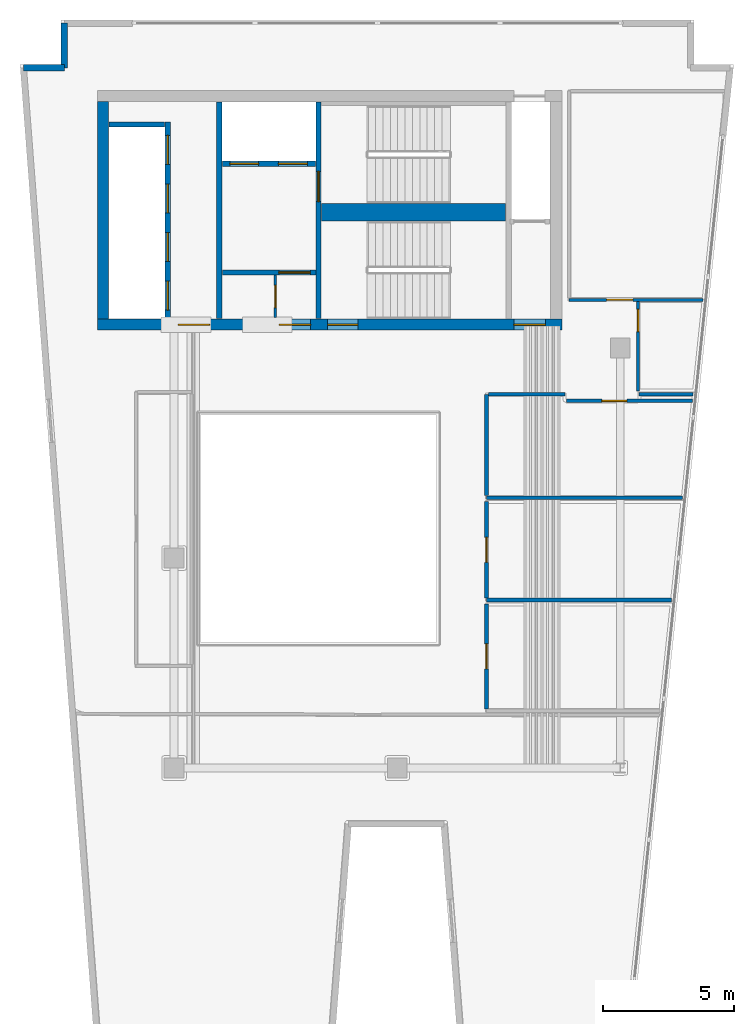
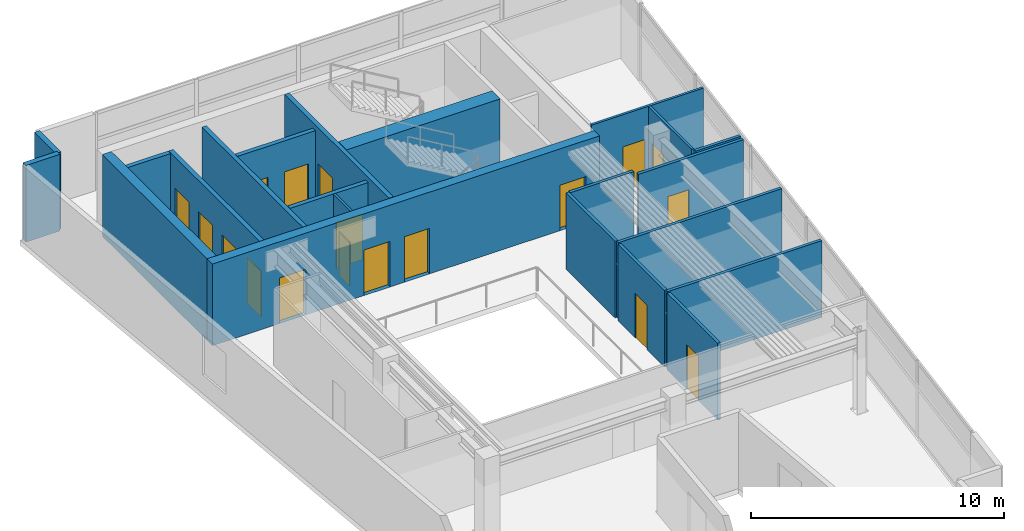
# One storey, part 3 of 6: 22 walls, 18 doors, 18 openings.
"""IFC4 building model written with IfcOpenShell, lengths in metres."""

from ifc_helpers import new_model, si_unit, direction, frame, frame_2d, origin, place, context, subcontext, project, spatial, rectangle, extrude, material, layer, layer_set, type_object, element, fill, save


model = new_model("IFC4")

# Units and contexts
model_context = context("Model", 3, precision=1e-05, world=origin(), true_north=direction((0.0, 1.0)))
body_context = subcontext(model_context, "Body", "Model", "MODEL_VIEW")
ifc_project = project(units=[si_unit("LENGTHUNIT", "METRE"), si_unit("AREAUNIT", "SQUARE_METRE"), si_unit("VOLUMEUNIT", "CUBIC_METRE"), si_unit("PLANEANGLEUNIT", "RADIAN"), si_unit("MASSUNIT", "GRAM", prefix="KILO")], contexts=[model_context])

# Site, building, storey
site_placement = place(None, origin())
site = spatial("IfcSite", under=ifc_project, at=site_placement, CompositionType="ELEMENT")
building_placement = place(site_placement, origin())
building = spatial("IfcBuilding", under=site, at=building_placement, Name="Caeloran Harvest Quay", CompositionType="ELEMENT")
storey_placement = place(building_placement, frame((0.0, 0.0, 288.300048828125)))
storey = spatial("IfcBuildingStorey", under=building, at=storey_placement, Name="L69", CompositionType="ELEMENT", Elevation=288.300048828125)

# Walls
ifc_material_1 = material(Name="Precast concrete C50/60", Category="concrete")
ifc_layer_1 = layer(ifc_material_1, 0.239990234375, Name="Precast concrete C50/60")
ifc_layer_set_1 = layer_set([ifc_layer_1], Name="Precast concrete C50/60")
wall_type_1 = type_object("IfcWallType", Name="ENV-WALL-EW-240", PredefinedType="STANDARD", material=ifc_layer_set_1)
wall_1_placement = place(storey_placement, frame((2.7587890625, 41.679931640625, 0.0), z_axis=(0.0, 0.0, 1.0), x_axis=(1.0, 0.0, 0.0)))
element("IfcWall", 1, at=wall_1_placement, inside=storey, type_object=wall_type_1, Name="L69 Exterior Precast Concrete Facade Wall 4", PredefinedType="STANDARD", context=body_context, shape_type="SweptSolid", body=[
    extrude(rectangle(XDim=1.561279296875, YDim=0.239990234375, at=frame_2d((0.78076171875, 0.0))), origin(), (0.0, 0.0, 1.0), 3.699951171875),
])
wall_2_placement = place(storey_placement, frame((4.320068359375, 41.679931640625, 0.0), z_axis=(0.0, 0.0, 1.0), x_axis=(0.0, 1.0, 0.0)))
element("IfcWall", 2, at=wall_2_placement, inside=storey, type_object=wall_type_1, Name="L69 Exterior Precast Concrete Facade Wall 5", PredefinedType="STANDARD", context=body_context, shape_type="SweptSolid", body=[
    extrude(rectangle(XDim=1.699951171875, YDim=0.239990234375, at=frame_2d((0.85009765625, 0.0))), origin(), (0.0, 0.0, 1.0), 3.699951171875),
])

# Wall, opening, door
ifc_material_2 = material(Name="Fire-Resisting Gypsum Core Riser Partition", Category="gypsum")
ifc_layer_2 = layer(ifc_material_2, 0.10009765625, Name="Fire-Resisting Gypsum Core Riser Partition")
ifc_layer_set_2 = layer_set([ifc_layer_2], Name="Fire-Resisting Gypsum Core Riser Partition")
wall_type_2 = type_object("IfcWallType", Name="INT-WALL-PW-100", PredefinedType="PARTITIONING", material=ifc_layer_set_2)
wall_3_placement = place(storey_placement, frame((12.360107421875, 32.159912109375, 0.0), z_axis=(0.0, 0.0, 1.0), x_axis=(0.0, 1.0, 0.0)))
wall_3 = element("IfcWall", 3, at=wall_3_placement, inside=storey, type_object=wall_type_2, Name="L69 Core Store Partition Wall", PredefinedType="PARTITIONING", context=body_context, shape_type="SweptSolid", body=[
    extrude(rectangle(XDim=1.6201171875, YDim=0.10009765625, at=frame_2d((0.81005859375, 0.0))), origin(), (0.0, 0.0, 1.0), 3.699951171875),
])
opening_1_placement = place(wall_3_placement, frame((0.3798828125, 0.0, 0.0)))
opening_1 = element("IfcOpeningElement", 4, at=opening_1_placement, cuts=wall_3, Name="Opening SV-01", PredefinedType="OPENING", context=body_context, shape_type="SweptSolid", body=[
    extrude(rectangle(XDim=0.85009765625, YDim=2.10009765625, at=frame_2d((0.425048828125, 1.050048828125))), frame((0.0, 0.06005859375, 0.0), z_axis=(0.0, -1.0, 0.0), x_axis=(1.0, 0.0, 0.0)), (0.0, 0.0, 1.0), 0.1201171875),
])
ifc_material_3 = material(Name="Galvanized Painted Steel", Category="steel")
door_type_1 = type_object("IfcDoorType", Name="INTDOOR-SV-01", OperationType="NOTDEFINED", PredefinedType="DOOR", material=ifc_material_3)
door_1_placement = place(opening_1_placement, origin())
door_1 = element("IfcDoor", 5, at=door_1_placement, inside=storey, type_object=door_type_1, Name="L69 Core Service Room Access Door", OperationType="SINGLE_SWING_RIGHT", OverallHeight=2.10009765625, OverallWidth=0.85009765625, PredefinedType="DOOR", context=body_context, shape_type="SweptSolid", body=[
    extrude(rectangle(XDim=0.85009765625, YDim=2.10009765625, at=frame_2d((0.425048828125, 1.050048828125))), frame((0.0, 0.02490234375, 0.0), z_axis=(0.0, -1.0, 0.0), x_axis=(1.0, 0.0, 0.0)), (0.0, 0.0, 1.0), 0.050048828125),
])
fill(opening_1, door_1)

ifc_material_4 = material(Name="Single-Stud Acoustic Gypsum Office Partition", Category="gypsum")
ifc_layer_3 = layer(ifc_material_4, 0.112060546875, Name="Single-Stud Acoustic Gypsum Office Partition")
ifc_layer_set_3 = layer_set([ifc_layer_3], Name="Single-Stud Acoustic Gypsum Office Partition")
wall_type_3 = type_object("IfcWallType", Name="INT-WALL-PW-112", PredefinedType="PARTITIONING", material=ifc_layer_set_3)
wall_4_placement = place(storey_placement, frame((28.654052734375, 32.840087890625, 0.0), z_axis=(0.0, 0.0, 1.0), x_axis=(-1.0, 0.0, 0.0)))
wall_4 = element("IfcWall", 6, at=wall_4_placement, inside=storey, type_object=wall_type_3, Name="L69 Bioinformatics and Crop Phenotyping Laboratory Partition Wall", PredefinedType="PARTITIONING", context=body_context, shape_type="SweptSolid", body=[
    extrude(rectangle(XDim=5.114013671875, YDim=0.112060546875, at=frame_2d((2.55712890625, 0.0))), origin(), (0.0, 0.0, 1.0), 3.699951171875),
])
opening_2_placement = place(wall_4_placement, frame((2.6767578125, 0.0, 0.0)))
opening_2 = element("IfcOpeningElement", 7, at=opening_2_placement, cuts=wall_4, Name="Opening ID-01", PredefinedType="OPENING", context=body_context, shape_type="SweptSolid", body=[
    extrude(rectangle(XDim=1.0, YDim=2.14990234375, at=frame_2d((0.5, 1.074951171875))), frame((0.0, 0.06591796875, 0.0), z_axis=(0.0, -1.0, 0.0), x_axis=(1.0, 0.0, 0.0)), (0.0, 0.0, 1.0), 0.132080078125),
])
ifc_material_5 = material(Name="FSC Solid-Core Ash Timber and Acoustic Seal", Category="wood")
door_type_2 = type_object("IfcDoorType", Name="INTDOOR-ID-01", OperationType="NOTDEFINED", PredefinedType="DOOR", material=ifc_material_5)
door_2_placement = place(opening_2_placement, origin())
door_2 = element("IfcDoor", 8, at=door_2_placement, inside=storey, type_object=door_type_2, Name="L69 Bioinformatics and Crop Phenotyping Laboratory Access Door", OperationType="SINGLE_SWING_RIGHT", OverallHeight=2.14990234375, OverallWidth=1.0, PredefinedType="DOOR", context=body_context, shape_type="SweptSolid", body=[
    extrude(rectangle(XDim=1.0, YDim=2.14990234375, at=frame_2d((0.5, 1.074951171875))), frame((0.0, 0.02490234375, 0.0), z_axis=(0.0, -1.0, 0.0), x_axis=(1.0, 0.0, 0.0)), (0.0, 0.0, 1.0), 0.050048828125),
])
fill(opening_2, door_2)

wall_5_placement = place(storey_placement, frame((26.179931640625, 29.3701171875, 0.0), z_axis=(0.0, 0.0, 1.0), x_axis=(0.0, 1.0, 0.0)))
wall_5 = element("IfcWall", 9, at=wall_5_placement, inside=storey, type_object=wall_type_3, Name="Advisory Council Boardroom Partition Wall", PredefinedType="PARTITIONING", context=body_context, shape_type="SweptSolid", body=[
    extrude(rectangle(XDim=3.408935546875, YDim=0.112060546875, at=frame_2d((1.70458984375, 0.0))), origin(), (0.0, 0.0, 1.0), 3.699951171875),
])
opening_3_placement = place(wall_5_placement, frame((2.25341796875, 0.0, 0.0)))
opening_3 = element("IfcOpeningElement", 10, at=opening_3_placement, cuts=wall_5, Name="Opening SV-01", PredefinedType="OPENING", context=body_context, shape_type="SweptSolid", body=[
    extrude(rectangle(XDim=0.85009765625, YDim=2.10009765625, at=frame_2d((0.425048828125, 1.050048828125))), frame((0.0, 0.06591796875, 0.0), z_axis=(0.0, -1.0, 0.0), x_axis=(1.0, 0.0, 0.0)), (0.0, 0.0, 1.0), 0.132080078125),
])
door_3_placement = place(opening_3_placement, origin())
door_3 = element("IfcDoor", 11, at=door_3_placement, inside=storey, type_object=door_type_1, Name="Advisory Council Boardroom Access Door", OperationType="SINGLE_SWING_LEFT", OverallHeight=2.10009765625, OverallWidth=0.85009765625, PredefinedType="DOOR", context=body_context, shape_type="SweptSolid", body=[
    extrude(rectangle(XDim=0.85009765625, YDim=2.10009765625, at=frame_2d((0.425048828125, 1.050048828125))), frame((0.0, 0.02490234375, 0.0), z_axis=(0.0, -1.0, 0.0), x_axis=(1.0, 0.0, 0.0)), (0.0, 0.0, 1.0), 0.050048828125),
])
fill(opening_3, door_3)

ifc_material_6 = material(Name="Moisture-Resistant Cement-Board Sanitary Partition", Category="gypsum")
ifc_layer_4 = layer(ifc_material_6, 0.139892578125, Name="Moisture-Resistant Cement-Board Sanitary Partition")
ifc_layer_set_4 = layer_set([ifc_layer_4], Name="Moisture-Resistant Cement-Board Sanitary Partition")
wall_type_4 = type_object("IfcWallType", Name="INT-WALL-PW-140", PredefinedType="PARTITIONING", material=ifc_layer_set_4)
wall_6_placement = place(storey_placement, frame((23.449951171875, 28.989990234375, 0.0), z_axis=(0.0, 0.0, 1.0), x_axis=(1.0, 0.0, 0.0)))
wall_6 = element("IfcWall", 12, at=wall_6_placement, inside=storey, type_object=wall_type_4, Name="L69 Male Washroom WC Partition Wall", PredefinedType="PARTITIONING", context=body_context, shape_type="SweptSolid", body=[
    extrude(rectangle(XDim=4.799560546875, YDim=0.139892578125, at=frame_2d((2.39990234375, 0.0))), origin(), (0.0, 0.0, 1.0), 3.699951171875),
])
opening_4_placement = place(wall_6_placement, frame((1.347412109375, 0.0, 0.0)))
opening_4 = element("IfcOpeningElement", 13, at=opening_4_placement, cuts=wall_6, Name="Opening WC-01", PredefinedType="OPENING", context=body_context, shape_type="SweptSolid", body=[
    extrude(rectangle(XDim=0.949951171875, YDim=2.14990234375, at=frame_2d((0.47509765625, 1.074951171875))), frame((0.0, 0.080078125, 0.0), z_axis=(0.0, -1.0, 0.0), x_axis=(1.0, 0.0, 0.0)), (0.0, 0.0, 1.0), 0.159912109375),
])
ifc_material_7 = material(Name="High-Pressure Laminate Moisture-Resistant Timber", Category="wood")
door_type_3 = type_object("IfcDoorType", Name="INTDOOR-WC-01", OperationType="NOTDEFINED", PredefinedType="DOOR", material=ifc_material_7)
door_4_placement = place(opening_4_placement, origin())
door_4 = element("IfcDoor", 14, at=door_4_placement, inside=storey, type_object=door_type_3, Name="L69 Male Washroom WC Access Door", OperationType="SINGLE_SWING_RIGHT", OverallHeight=2.14990234375, OverallWidth=0.949951171875, PredefinedType="DOOR", context=body_context, shape_type="SweptSolid", body=[
    extrude(rectangle(XDim=0.949951171875, YDim=2.14990234375, at=frame_2d((0.47509765625, 1.074951171875))), frame((0.0, 0.02490234375, 0.0), z_axis=(0.0, -1.0, 0.0), x_axis=(1.0, 0.0, 0.0)), (0.0, 0.0, 1.0), 0.050048828125),
])
fill(opening_4, door_4)

# Walls
wall_7_placement = place(storey_placement, frame((26.2099609375, 29.239990234375, 0.0), z_axis=(0.0, 0.0, 1.0), x_axis=(1.0, 0.0, 0.0)))
element("IfcWall", 15, at=wall_7_placement, inside=storey, type_object=wall_type_4, Name="L69 Male Washroom WC Partition Wall", PredefinedType="PARTITIONING", context=body_context, shape_type="SweptSolid", body=[
    extrude(rectangle(XDim=2.06591796875, YDim=0.139892578125, at=frame_2d((1.032958984375, 0.0))), origin(), (0.0, 0.0, 1.0), 3.699951171875),
])
wall_8_placement = place(storey_placement, frame((27.862060546875, 25.300048828125, 0.0), z_axis=(0.0, 0.0, 1.0), x_axis=(-1.0, 0.0, 0.0)))
element("IfcWall", 16, at=wall_8_placement, inside=storey, type_object=wall_type_4, Name="L69 Male Washroom WC Partition Wall", PredefinedType="PARTITIONING", context=body_context, shape_type="SweptSolid", body=[
    extrude(rectangle(XDim=7.462158203125, YDim=0.139892578125, at=frame_2d((3.73095703125, 0.0))), origin(), (0.0, 0.0, 1.0), 3.699951171875),
])
wall_9_placement = place(storey_placement, frame((20.39990234375, 25.375, 0.0), z_axis=(0.0, 0.0, 1.0), x_axis=(0.0, 1.0, 0.0)))
element("IfcWall", 17, at=wall_9_placement, inside=storey, type_object=wall_type_4, Name="L69 Male Washroom WC Partition Wall", PredefinedType="PARTITIONING", context=body_context, shape_type="SweptSolid", body=[
    extrude(rectangle(XDim=3.864990234375, YDim=0.139892578125, at=frame_2d((1.9326171875, 0.0))), origin(), (0.0, 0.0, 1.0), 3.699951171875),
])
wall_10_placement = place(storey_placement, frame((20.47509765625, 29.239990234375, 0.0), z_axis=(0.0, 0.0, 1.0), x_axis=(1.0, 0.0, 0.0)))
element("IfcWall", 18, at=wall_10_placement, inside=storey, type_object=wall_type_4, Name="L69 Male Washroom WC Partition Wall", PredefinedType="PARTITIONING", context=body_context, shape_type="SweptSolid", body=[
    extrude(rectangle(XDim=2.914794921875, YDim=0.139892578125, at=frame_2d((1.45751953125, 0.0))), origin(), (0.0, 0.0, 1.0), 3.699951171875),
])
wall_11_placement = place(storey_placement, frame((27.452392578125, 21.39990234375, 0.0), z_axis=(0.0, 0.0, 1.0), x_axis=(-1.0, 0.0, 0.0)))
element("IfcWall", 19, at=wall_11_placement, inside=storey, type_object=wall_type_4, Name="L69 Female Washroom WC Partition Wall", PredefinedType="PARTITIONING", context=body_context, shape_type="SweptSolid", body=[
    extrude(rectangle(XDim=7.052490234375, YDim=0.139892578125, at=frame_2d((3.5263671875, 0.0))), origin(), (0.0, 0.0, 1.0), 3.699951171875),
])

# Wall, opening, door
wall_12_placement = place(storey_placement, frame((20.39990234375, 21.47509765625, 0.0), z_axis=(0.0, 0.0, 1.0), x_axis=(0.0, 1.0, 0.0)))
wall_12 = element("IfcWall", 20, at=wall_12_placement, inside=storey, type_object=wall_type_4, Name="L69 Female Washroom WC Partition Wall", PredefinedType="PARTITIONING", context=body_context, shape_type="SweptSolid", body=[
    extrude(rectangle(XDim=3.6748046875, YDim=0.139892578125, at=frame_2d((1.83740234375, 0.0))), origin(), (0.0, 0.0, 1.0), 3.699951171875),
])
opening_5_placement = place(wall_12_placement, frame((1.362548828125, 0.0, 0.0)))
opening_5 = element("IfcOpeningElement", 21, at=opening_5_placement, cuts=wall_12, Name="Opening WC-01", PredefinedType="OPENING", context=body_context, shape_type="SweptSolid", body=[
    extrude(rectangle(XDim=0.949951171875, YDim=2.14990234375, at=frame_2d((0.47509765625, 1.074951171875))), frame((0.0, 0.080078125, 0.0), z_axis=(0.0, -1.0, 0.0), x_axis=(1.0, 0.0, 0.0)), (0.0, 0.0, 1.0), 0.159912109375),
])
door_5_placement = place(opening_5_placement, origin())
door_5 = element("IfcDoor", 22, at=door_5_placement, inside=storey, type_object=door_type_3, Name="L69 Female Washroom WC Access Door", OperationType="SINGLE_SWING_LEFT", OverallHeight=2.14990234375, OverallWidth=0.949951171875, PredefinedType="DOOR", context=body_context, shape_type="SweptSolid", body=[
    extrude(rectangle(XDim=0.949951171875, YDim=2.14990234375, at=frame_2d((0.47509765625, 1.074951171875))), frame((0.0, 0.02490234375, 0.0), z_axis=(0.0, -1.0, 0.0), x_axis=(1.0, 0.0, 0.0)), (0.0, 0.0, 1.0), 0.050048828125),
])
fill(opening_5, door_5)

wall_13_placement = place(storey_placement, frame((20.39990234375, 17.2548828125, 0.0), z_axis=(0.0, 0.0, 1.0), x_axis=(0.0, 1.0, 0.0)))
wall_13 = element("IfcWall", 23, at=wall_13_placement, inside=storey, type_object=wall_type_4, Name="L69 Accessible Unisex Washroom WC Partition Wall", PredefinedType="PARTITIONING", context=body_context, shape_type="SweptSolid", body=[
    extrude(rectangle(XDim=3.9951171875, YDim=0.139892578125, at=frame_2d((1.99755859375, 0.0))), origin(), (0.0, 0.0, 1.0), 3.699951171875),
])
opening_6_placement = place(wall_13_placement, frame((1.5224609375, 0.0, 0.0)))
opening_6 = element("IfcOpeningElement", 24, at=opening_6_placement, cuts=wall_13, Name="Opening WC-01", PredefinedType="OPENING", context=body_context, shape_type="SweptSolid", body=[
    extrude(rectangle(XDim=0.949951171875, YDim=2.14990234375, at=frame_2d((0.47509765625, 1.074951171875))), frame((0.0, 0.080078125, 0.0), z_axis=(0.0, -1.0, 0.0), x_axis=(1.0, 0.0, 0.0)), (0.0, 0.0, 1.0), 0.159912109375),
])
door_6_placement = place(opening_6_placement, origin())
door_6 = element("IfcDoor", 25, at=door_6_placement, inside=storey, type_object=door_type_3, Name="L69 Accessible Unisex Washroom WC Access Door", OperationType="SINGLE_SWING_RIGHT", OverallHeight=2.14990234375, OverallWidth=0.949951171875, PredefinedType="DOOR", context=body_context, shape_type="SweptSolid", body=[
    extrude(rectangle(XDim=0.949951171875, YDim=2.14990234375, at=frame_2d((0.47509765625, 1.074951171875))), frame((0.0, 0.02490234375, 0.0), z_axis=(0.0, -1.0, 0.0), x_axis=(1.0, 0.0, 0.0)), (0.0, 0.0, 1.0), 0.050048828125),
])
fill(opening_6, door_6)

# Wall, openings, doors
ifc_material_8 = material(Name="Concrete C50/60", Category="concrete")
ifc_layer_5 = layer(ifc_material_8, 0.199951171875, Name="Concrete C50/60")
ifc_layer_set_5 = layer_set([ifc_layer_5], Name="Concrete C50/60")
wall_type_5 = type_object("IfcWallType", Name="INT-WALL-SW-200", PredefinedType="PARTITIONING", material=ifc_layer_set_5)
wall_14_placement = place(storey_placement, frame((8.260009765625, 32.1201171875, 0.0), z_axis=(0.0, 0.0, 1.0), x_axis=(0.0, 1.0, 0.0)))
wall_14 = element("IfcWall", 26, at=wall_14_placement, inside=storey, type_object=wall_type_5, Name="L69 Bank 3 Lift Shaft Wall", PredefinedType="PARTITIONING", context=body_context, shape_type="SweptSolid", body=[
    extrude(rectangle(XDim=7.5, YDim=0.199951171875, at=frame_2d((3.75, 0.0))), origin(), (0.0, 0.0, 1.0), 3.699951171875),
])
opening_7_placement = place(wall_14_placement, frame((0.330078125, 0.0, 0.0)))
opening_7 = element("IfcOpeningElement", 27, at=opening_7_placement, cuts=wall_14, Name="Opening LD-01", PredefinedType="OPENING", context=body_context, shape_type="SweptSolid", body=[
    extrude(rectangle(XDim=1.10009765625, YDim=2.199951171875, at=frame_2d((0.550048828125, 1.10009765625))), frame((0.0, 0.10986328125, 0.0), z_axis=(0.0, -1.0, 0.0), x_axis=(1.0, 0.0, 0.0)), (0.0, 0.0, 1.0), 0.219970703125),
])
opening_8_placement = place(wall_14_placement, frame((2.179931640625, 0.0, 0.0)))
opening_8 = element("IfcOpeningElement", 28, at=opening_8_placement, cuts=wall_14, Name="Opening LD-01", PredefinedType="OPENING", context=body_context, shape_type="SweptSolid", body=[
    extrude(rectangle(XDim=1.10009765625, YDim=2.199951171875, at=frame_2d((0.550048828125, 1.10009765625))), frame((0.0, 0.10986328125, 0.0), z_axis=(0.0, -1.0, 0.0), x_axis=(1.0, 0.0, 0.0)), (0.0, 0.0, 1.0), 0.219970703125),
])
opening_9_placement = place(wall_14_placement, frame((4.030029296875, 0.0, 0.0)))
opening_9 = element("IfcOpeningElement", 29, at=opening_9_placement, cuts=wall_14, Name="Opening LD-01", PredefinedType="OPENING", context=body_context, shape_type="SweptSolid", body=[
    extrude(rectangle(XDim=1.10009765625, YDim=2.199951171875, at=frame_2d((0.550048828125, 1.10009765625))), frame((0.0, 0.10986328125, 0.0), z_axis=(0.0, -1.0, 0.0), x_axis=(1.0, 0.0, 0.0)), (0.0, 0.0, 1.0), 0.219970703125),
])
opening_10_placement = place(wall_14_placement, frame((5.8798828125, 0.0, 0.0)))
opening_10 = element("IfcOpeningElement", 30, at=opening_10_placement, cuts=wall_14, Name="Opening LD-01", PredefinedType="OPENING", context=body_context, shape_type="SweptSolid", body=[
    extrude(rectangle(XDim=1.10009765625, YDim=2.199951171875, at=frame_2d((0.550048828125, 1.10009765625))), frame((0.0, 0.10986328125, 0.0), z_axis=(0.0, -1.0, 0.0), x_axis=(1.0, 0.0, 0.0)), (0.0, 0.0, 1.0), 0.219970703125),
])
ifc_material_9 = material(Name="Stainless Steel Grade 316", Category="steel")
door_type_4 = type_object("IfcDoorType", Name="INTDOOR-LD-01", OperationType="NOTDEFINED", PredefinedType="DOOR", material=ifc_material_9)
door_7_placement = place(opening_7_placement, origin())
door_7 = element("IfcDoor", 31, at=door_7_placement, inside=storey, type_object=door_type_4, Name="Lift P3-1 Sliding Landing Door (L69)", OperationType="DOUBLE_DOOR_SLIDING", OverallHeight=2.199951171875, OverallWidth=1.10009765625, PredefinedType="DOOR", context=body_context, shape_type="SweptSolid", body=[
    extrude(rectangle(XDim=1.10009765625, YDim=2.199951171875, at=frame_2d((0.550048828125, 1.10009765625))), frame((0.0, 0.02490234375, 0.0), z_axis=(0.0, -1.0, 0.0), x_axis=(1.0, 0.0, 0.0)), (0.0, 0.0, 1.0), 0.050048828125),
])
fill(opening_7, door_7)
door_8_placement = place(opening_8_placement, origin())
door_8 = element("IfcDoor", 32, at=door_8_placement, inside=storey, type_object=door_type_4, Name="Lift P3-2 Sliding Landing Door (L69)", OperationType="DOUBLE_DOOR_SLIDING", OverallHeight=2.199951171875, OverallWidth=1.10009765625, PredefinedType="DOOR", context=body_context, shape_type="SweptSolid", body=[
    extrude(rectangle(XDim=1.10009765625, YDim=2.199951171875, at=frame_2d((0.550048828125, 1.10009765625))), frame((0.0, 0.02490234375, 0.0), z_axis=(0.0, -1.0, 0.0), x_axis=(1.0, 0.0, 0.0)), (0.0, 0.0, 1.0), 0.050048828125),
])
fill(opening_8, door_8)
door_9_placement = place(opening_9_placement, origin())
door_9 = element("IfcDoor", 33, at=door_9_placement, inside=storey, type_object=door_type_4, Name="Lift P3-3 Sliding Landing Door (L69)", OperationType="DOUBLE_DOOR_SLIDING", OverallHeight=2.199951171875, OverallWidth=1.10009765625, PredefinedType="DOOR", context=body_context, shape_type="SweptSolid", body=[
    extrude(rectangle(XDim=1.10009765625, YDim=2.199951171875, at=frame_2d((0.550048828125, 1.10009765625))), frame((0.0, 0.02490234375, 0.0), z_axis=(0.0, -1.0, 0.0), x_axis=(1.0, 0.0, 0.0)), (0.0, 0.0, 1.0), 0.050048828125),
])
fill(opening_9, door_9)
door_10_placement = place(opening_10_placement, origin())
door_10 = element("IfcDoor", 34, at=door_10_placement, inside=storey, type_object=door_type_4, Name="Lift P3-4 Sliding Landing Door (L69)", OperationType="DOUBLE_DOOR_SLIDING", OverallHeight=2.199951171875, OverallWidth=1.10009765625, PredefinedType="DOOR", context=body_context, shape_type="SweptSolid", body=[
    extrude(rectangle(XDim=1.10009765625, YDim=2.199951171875, at=frame_2d((0.550048828125, 1.10009765625))), frame((0.0, 0.02490234375, 0.0), z_axis=(0.0, -1.0, 0.0), x_axis=(1.0, 0.0, 0.0)), (0.0, 0.0, 1.0), 0.050048828125),
])
fill(opening_10, door_10)

# Walls
wall_15_placement = place(storey_placement, frame((6.02001953125, 39.52001953125, 0.0), z_axis=(0.0, 0.0, 1.0), x_axis=(1.0, 0.0, 0.0)))
element("IfcWall", 35, at=wall_15_placement, inside=storey, type_object=wall_type_5, Name="L69 Bank 3 Lift Shaft North End Wall", PredefinedType="PARTITIONING", context=body_context, shape_type="SweptSolid", body=[
    extrude(rectangle(XDim=2.119873046875, YDim=0.199951171875, at=frame_2d((1.06005859375, 0.0))), origin(), (0.0, 0.0, 1.0), 3.699951171875),
])
wall_16_placement = place(storey_placement, frame((10.219970703125, 32.1201171875, 0.0), z_axis=(0.0, 0.0, 1.0), x_axis=(0.0, 1.0, 0.0)))
element("IfcWall", 36, at=wall_16_placement, inside=storey, type_object=wall_type_5, Name="L69 Core Lobby Compartment Wall", PredefinedType="PARTITIONING", context=body_context, shape_type="SweptSolid", body=[
    extrude(rectangle(XDim=8.259765625, YDim=0.199951171875, at=frame_2d((4.1298828125, 0.0))), origin(), (0.0, 0.0, 1.0), 3.699951171875),
])

# Wall, openings, doors
wall_17_placement = place(storey_placement, frame((10.340087890625, 38.02001953125, 0.0), z_axis=(0.0, 0.0, 1.0), x_axis=(1.0, 0.0, 0.0)))
wall_17 = element("IfcWall", 37, at=wall_17_placement, inside=storey, type_object=wall_type_5, Name="L69 Firefighting Lift Shaft Wall", PredefinedType="PARTITIONING", context=body_context, shape_type="SweptSolid", body=[
    extrude(rectangle(XDim=3.539794921875, YDim=0.199951171875, at=frame_2d((1.77001953125, 0.0))), origin(), (0.0, 0.0, 1.0), 3.699951171875),
])
opening_11_placement = place(wall_17_placement, frame((0.284912109375, 0.0, 0.0)))
opening_11 = element("IfcOpeningElement", 38, at=opening_11_placement, cuts=wall_17, Name="Opening LD-01", PredefinedType="OPENING", context=body_context, shape_type="SweptSolid", body=[
    extrude(rectangle(XDim=1.10009765625, YDim=2.199951171875, at=frame_2d((0.550048828125, 1.10009765625))), frame((0.0, 0.10986328125, 0.0), z_axis=(0.0, -1.0, 0.0), x_axis=(1.0, 0.0, 0.0)), (0.0, 0.0, 1.0), 0.219970703125),
])
opening_12_placement = place(wall_17_placement, frame((2.135009765625, 0.0, 0.0)))
opening_12 = element("IfcOpeningElement", 39, at=opening_12_placement, cuts=wall_17, Name="Opening LD-01", PredefinedType="OPENING", context=body_context, shape_type="SweptSolid", body=[
    extrude(rectangle(XDim=1.10009765625, YDim=2.199951171875, at=frame_2d((0.550048828125, 1.10009765625))), frame((0.0, 0.10986328125, 0.0), z_axis=(0.0, -1.0, 0.0), x_axis=(1.0, 0.0, 0.0)), (0.0, 0.0, 1.0), 0.219970703125),
])
door_11_placement = place(opening_11_placement, origin())
door_11 = element("IfcDoor", 40, at=door_11_placement, inside=storey, type_object=door_type_4, Name="Lift FF-1 Sliding Landing Door (L69)", OperationType="DOUBLE_DOOR_SLIDING", OverallHeight=2.199951171875, OverallWidth=1.10009765625, PredefinedType="DOOR", context=body_context, shape_type="SweptSolid", body=[
    extrude(rectangle(XDim=1.10009765625, YDim=2.199951171875, at=frame_2d((0.550048828125, 1.10009765625))), frame((0.0, 0.02490234375, 0.0), z_axis=(0.0, -1.0, 0.0), x_axis=(1.0, 0.0, 0.0)), (0.0, 0.0, 1.0), 0.050048828125),
])
fill(opening_11, door_11)
door_12_placement = place(opening_12_placement, origin())
door_12 = element("IfcDoor", 41, at=door_12_placement, inside=storey, type_object=door_type_4, Name="Lift FF-2 Sliding Landing Door (L69)", OperationType="DOUBLE_DOOR_SLIDING", OverallHeight=2.199951171875, OverallWidth=1.10009765625, PredefinedType="DOOR", context=body_context, shape_type="SweptSolid", body=[
    extrude(rectangle(XDim=1.10009765625, YDim=2.199951171875, at=frame_2d((0.550048828125, 1.10009765625))), frame((0.0, 0.02490234375, 0.0), z_axis=(0.0, -1.0, 0.0), x_axis=(1.0, 0.0, 0.0)), (0.0, 0.0, 1.0), 0.050048828125),
])
fill(opening_12, door_12)

# Wall, opening, door
wall_18_placement = place(storey_placement, frame((10.340087890625, 33.8798828125, 0.0), z_axis=(0.0, 0.0, 1.0), x_axis=(1.0, 0.0, 0.0)))
wall_18 = element("IfcWall", 42, at=wall_18_placement, inside=storey, type_object=wall_type_5, Name="L69 Firefighting Lift Lobby Enclosure Wall", PredefinedType="PARTITIONING", context=body_context, shape_type="SweptSolid", body=[
    extrude(rectangle(XDim=3.559814453125, YDim=0.199951171875, at=frame_2d((1.77978515625, 0.0))), origin(), (0.0, 0.0, 1.0), 3.699951171875),
])
opening_13_placement = place(wall_18_placement, frame((2.14990234375, 0.0, 0.0)))
opening_13 = element("IfcOpeningElement", 43, at=opening_13_placement, cuts=wall_18, Name="Opening FD-01", PredefinedType="OPENING", context=body_context, shape_type="SweptSolid", body=[
    extrude(rectangle(XDim=1.199951171875, YDim=2.199951171875, at=frame_2d((0.60009765625, 1.10009765625))), frame((0.0, 0.10986328125, 0.0), z_axis=(0.0, -1.0, 0.0), x_axis=(1.0, 0.0, 0.0)), (0.0, 0.0, 1.0), 0.219970703125),
])
ifc_material_10 = material(Name="Steel", Category="steel")
door_type_5 = type_object("IfcDoorType", Name="INTDOOR-FD-01", OperationType="NOTDEFINED", PredefinedType="DOOR", material=ifc_material_10)
door_13_placement = place(opening_13_placement, origin())
door_13 = element("IfcDoor", 44, at=door_13_placement, inside=storey, type_object=door_type_5, Name="L69 Firefighting Lift Lobby Smoke-Seal Fire Door", OperationType="SINGLE_SWING_RIGHT", OverallHeight=2.199951171875, OverallWidth=1.199951171875, PredefinedType="DOOR", context=body_context, shape_type="SweptSolid", body=[
    extrude(rectangle(XDim=1.199951171875, YDim=2.199951171875, at=frame_2d((0.60009765625, 1.10009765625))), frame((0.0, 0.02490234375, 0.0), z_axis=(0.0, -1.0, 0.0), x_axis=(1.0, 0.0, 0.0)), (0.0, 0.0, 1.0), 0.050048828125),
])
fill(opening_13, door_13)

# Wall, openings, doors
ifc_material_11 = material(Name="Concrete C60/75", Category="concrete")
ifc_layer_6 = layer(ifc_material_11, 0.419921875, Name="Concrete C60/75")
ifc_layer_set_6 = layer_set([ifc_layer_6], Name="Concrete C60/75")
wall_type_6 = type_object("IfcWallType", Name="STR-WALL-CW-420", PredefinedType="SHEAR", material=ifc_layer_set_6)
wall_19_placement = place(storey_placement, frame((5.580078125, 31.889892578125, 0.0), z_axis=(0.0, 0.0, 1.0), x_axis=(1.0, 0.0, 0.0)))
wall_19 = element("IfcWall", 45, at=wall_19_placement, inside=storey, type_object=wall_type_6, Name="L69 Rear Core Shear Wall S", PredefinedType="SHEAR", context=body_context, shape_type="SweptSolid", body=[
    extrude(rectangle(XDim=17.68994140625, YDim=0.419921875, at=frame_2d((8.844970703125, 0.0))), origin(), (0.0, 0.0, 1.0), 3.949951171875),
])
opening_14_placement = place(wall_19_placement, frame((3.070068359375, 0.0, 0.0)))
opening_14 = element("IfcOpeningElement", 46, at=opening_14_placement, cuts=wall_19, Name="Opening FD-01", PredefinedType="OPENING", context=body_context, shape_type="SweptSolid", body=[
    extrude(rectangle(XDim=1.199951171875, YDim=2.199951171875, at=frame_2d((0.60009765625, 1.10009765625))), frame((0.0, 0.219970703125, 0.0), z_axis=(0.0, -1.0, 0.0), x_axis=(1.0, 0.0, 0.0)), (0.0, 0.0, 1.0), 0.43994140625),
])
opening_15_placement = place(wall_19_placement, frame((6.919921875, 0.0, 0.0)))
opening_15 = element("IfcOpeningElement", 47, at=opening_15_placement, cuts=wall_19, Name="Opening FD-01", PredefinedType="OPENING", context=body_context, shape_type="SweptSolid", body=[
    extrude(rectangle(XDim=1.199951171875, YDim=2.199951171875, at=frame_2d((0.60009765625, 1.10009765625))), frame((0.0, 0.219970703125, 0.0), z_axis=(0.0, -1.0, 0.0), x_axis=(1.0, 0.0, 0.0)), (0.0, 0.0, 1.0), 0.43994140625),
])
opening_16_placement = place(wall_19_placement, frame((8.77001953125, 0.0, 0.0)))
opening_16 = element("IfcOpeningElement", 48, at=opening_16_placement, cuts=wall_19, Name="Opening SD-01", PredefinedType="OPENING", context=body_context, shape_type="SweptSolid", body=[
    extrude(rectangle(XDim=1.14990234375, YDim=2.199951171875, at=frame_2d((0.574951171875, 1.10009765625))), frame((0.0, 0.219970703125, 0.0), z_axis=(0.0, -1.0, 0.0), x_axis=(1.0, 0.0, 0.0)), (0.0, 0.0, 1.0), 0.43994140625),
])
opening_17_placement = place(wall_19_placement, frame((15.8701171875, 0.0, 0.0)))
opening_17 = element("IfcOpeningElement", 49, at=opening_17_placement, cuts=wall_19, Name="Opening FD-01", PredefinedType="OPENING", context=body_context, shape_type="SweptSolid", body=[
    extrude(rectangle(XDim=1.199951171875, YDim=2.199951171875, at=frame_2d((0.60009765625, 1.10009765625))), frame((0.0, 0.219970703125, 0.0), z_axis=(0.0, -1.0, 0.0), x_axis=(1.0, 0.0, 0.0)), (0.0, 0.0, 1.0), 0.43994140625),
])
door_14_placement = place(opening_14_placement, origin())
door_14 = element("IfcDoor", 50, at=door_14_placement, inside=storey, type_object=door_type_5, Name="L69 High-Rise Lift Lobby Fire Door", OperationType="SINGLE_SWING_RIGHT", OverallHeight=2.199951171875, OverallWidth=1.199951171875, PredefinedType="DOOR", context=body_context, shape_type="SweptSolid", body=[
    extrude(rectangle(XDim=1.199951171875, YDim=2.199951171875, at=frame_2d((0.60009765625, 1.10009765625))), frame((0.0, 0.02490234375, 0.0), z_axis=(0.0, -1.0, 0.0), x_axis=(1.0, 0.0, 0.0)), (0.0, 0.0, 1.0), 0.050048828125),
])
fill(opening_14, door_14)
door_15_placement = place(opening_15_placement, origin())
door_15 = element("IfcDoor", 51, at=door_15_placement, inside=storey, type_object=door_type_5, Name="L69 Firefighting Lobby Vestibule Fire Door", OperationType="SINGLE_SWING_LEFT", OverallHeight=2.199951171875, OverallWidth=1.199951171875, PredefinedType="DOOR", context=body_context, shape_type="SweptSolid", body=[
    extrude(rectangle(XDim=1.199951171875, YDim=2.199951171875, at=frame_2d((0.60009765625, 1.10009765625))), frame((0.0, 0.02490234375, 0.0), z_axis=(0.0, -1.0, 0.0), x_axis=(1.0, 0.0, 0.0)), (0.0, 0.0, 1.0), 0.050048828125),
])
fill(opening_15, door_15)
door_16_placement = place(opening_17_placement, origin())
door_16 = element("IfcDoor", 52, at=door_16_placement, inside=storey, type_object=door_type_5, Name="L69 Service Lift Lobby Fire Door", OperationType="SINGLE_SWING_LEFT", OverallHeight=2.199951171875, OverallWidth=1.199951171875, PredefinedType="DOOR", context=body_context, shape_type="SweptSolid", body=[
    extrude(rectangle(XDim=1.199951171875, YDim=2.199951171875, at=frame_2d((0.60009765625, 1.10009765625))), frame((0.0, 0.02490234375, 0.0), z_axis=(0.0, -1.0, 0.0), x_axis=(1.0, 0.0, 0.0)), (0.0, 0.0, 1.0), 0.050048828125),
])
fill(opening_17, door_16)
door_type_6 = type_object("IfcDoorType", Name="INTDOOR-SD-01", OperationType="NOTDEFINED", PredefinedType="DOOR", material=ifc_material_10)
door_17_placement = place(opening_16_placement, origin())
door_17 = element("IfcDoor", 53, at=door_17_placement, inside=storey, type_object=door_type_6, Name="L69 Protected Stair ST-C2 Exit Door", OperationType="SINGLE_SWING_RIGHT", OverallHeight=2.199951171875, OverallWidth=1.14990234375, PredefinedType="DOOR", context=body_context, shape_type="SweptSolid", body=[
    extrude(rectangle(XDim=1.14990234375, YDim=2.199951171875, at=frame_2d((0.574951171875, 1.10009765625))), frame((0.0, 0.02490234375, 0.0), z_axis=(0.0, -1.0, 0.0), x_axis=(1.0, 0.0, 0.0)), (0.0, 0.0, 1.0), 0.050048828125),
])
fill(opening_16, door_17)

# Walls
wall_20_placement = place(storey_placement, frame((5.7900390625, 32.10009765625, 0.0), z_axis=(0.0, 0.0, 1.0), x_axis=(0.0, 1.0, 0.0)))
element("IfcWall", 54, at=wall_20_placement, inside=storey, type_object=wall_type_6, Name="L69 Rear Core Shear Wall W", PredefinedType="SHEAR", context=body_context, shape_type="SweptSolid", body=[
    extrude(rectangle(XDim=8.2998046875, YDim=0.419921875, at=frame_2d((4.14990234375, 0.0))), origin(), (0.0, 0.0, 1.0), 3.949951171875),
])
ifc_layer_7 = layer(ifc_material_11, 0.64990234375, Name="Concrete C60/75")
ifc_layer_set_7 = layer_set([ifc_layer_7], Name="Concrete C60/75")
wall_type_7 = type_object("IfcWallType", Name="STR-WALL-CW-650", PredefinedType="SHEAR", material=ifc_layer_set_7)
wall_21_placement = place(storey_placement, frame((14.1201171875, 36.175048828125, 0.0), z_axis=(0.0, 0.0, 1.0), x_axis=(1.0, 0.0, 0.0)))
element("IfcWall", 55, at=wall_21_placement, inside=storey, type_object=wall_type_7, Name="L69 Core Stairs Dividing Shear Wall", PredefinedType="SHEAR", context=body_context, shape_type="SweptSolid", body=[
    extrude(rectangle(XDim=7.009765625, YDim=0.64990234375, at=frame_2d((3.5048828125, 0.0))), origin(), (0.0, 0.0, 1.0), 3.949951171875),
])

# Wall, opening, door
ifc_layer_8 = layer(ifc_material_11, 0.199951171875, Name="Concrete C60/75")
ifc_layer_set_8 = layer_set([ifc_layer_8], Name="Concrete C60/75")
wall_type_8 = type_object("IfcWallType", Name="STR-WALL-SW-200", PredefinedType="SHEAR", material=ifc_layer_set_8)
wall_22_placement = place(storey_placement, frame((14.0, 32.1201171875, 0.0), z_axis=(0.0, 0.0, 1.0), x_axis=(0.0, 1.0, 0.0)))
wall_22 = element("IfcWall", 56, at=wall_22_placement, inside=storey, type_object=wall_type_8, Name="L69 Core Stair Shaft West Shear Wall", PredefinedType="SHEAR", context=body_context, shape_type="SweptSolid", body=[
    extrude(rectangle(XDim=8.259765625, YDim=0.199951171875, at=frame_2d((4.1298828125, 0.0))), origin(), (0.0, 0.0, 1.0), 3.949951171875),
])
opening_18_placement = place(wall_22_placement, frame((4.4599609375, 0.0, 0.0)))
opening_18 = element("IfcOpeningElement", 57, at=opening_18_placement, cuts=wall_22, Name="Opening SD-01", PredefinedType="OPENING", context=body_context, shape_type="SweptSolid", body=[
    extrude(rectangle(XDim=1.14990234375, YDim=2.199951171875, at=frame_2d((0.574951171875, 1.10009765625))), frame((0.0, 0.10986328125, 0.0), z_axis=(0.0, -1.0, 0.0), x_axis=(1.0, 0.0, 0.0)), (0.0, 0.0, 1.0), 0.219970703125),
])
door_18_placement = place(opening_18_placement, origin())
door_18 = element("IfcDoor", 58, at=door_18_placement, inside=storey, type_object=door_type_6, Name="L69 Protected Stair ST-C1 Exit Door", OperationType="SINGLE_SWING_LEFT", OverallHeight=2.199951171875, OverallWidth=1.14990234375, PredefinedType="DOOR", context=body_context, shape_type="SweptSolid", body=[
    extrude(rectangle(XDim=1.14990234375, YDim=2.199951171875, at=frame_2d((0.574951171875, 1.10009765625))), frame((0.0, 0.02490234375, 0.0), z_axis=(0.0, -1.0, 0.0), x_axis=(1.0, 0.0, 0.0)), (0.0, 0.0, 1.0), 0.050048828125),
])
fill(opening_18, door_18)

save(model, "model.ifc")
